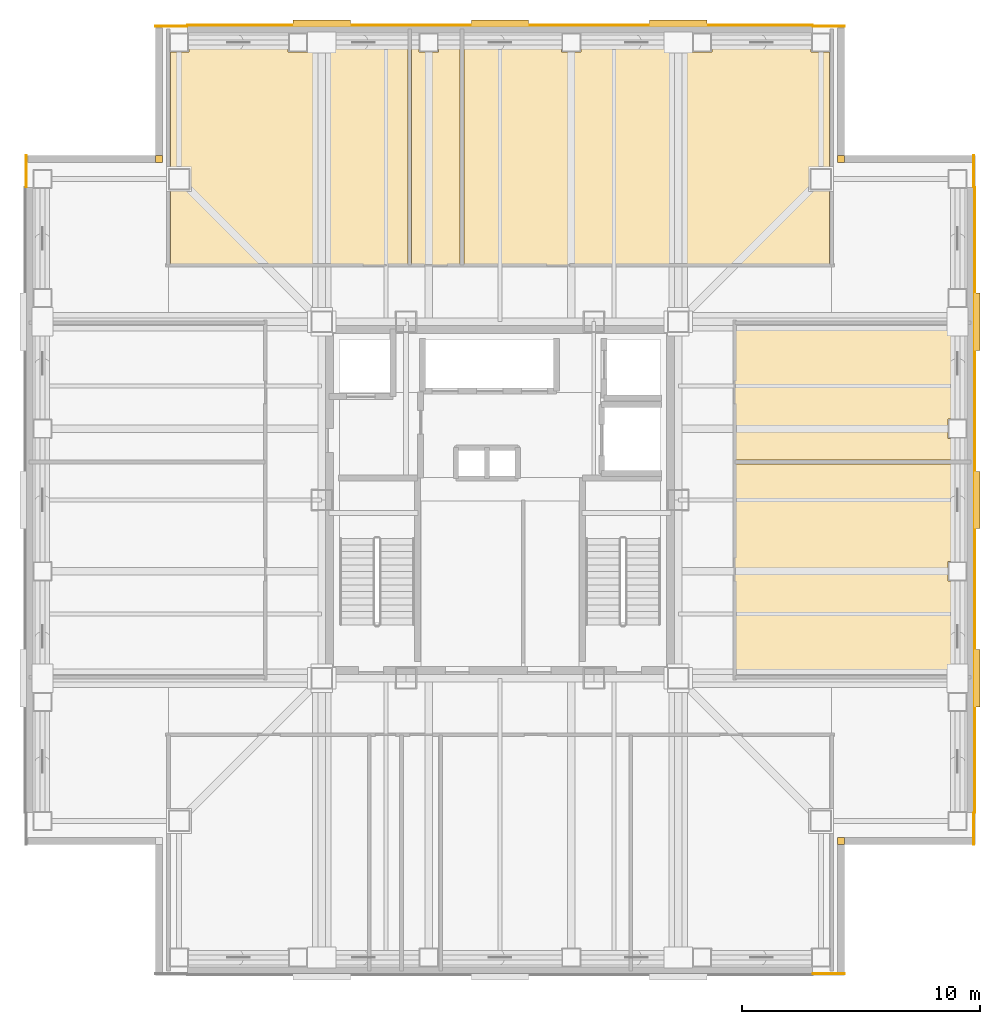
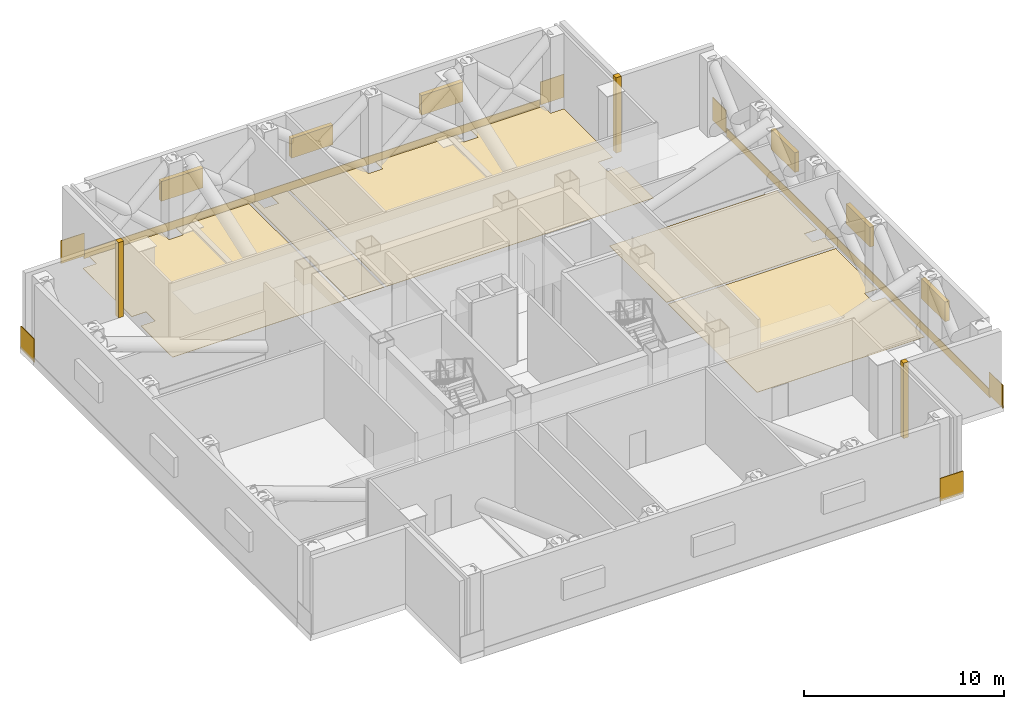
# One storey, part 10 of 10: 16 coverings, 6 shading devices.
"""IFC4 building model written with IfcOpenShell, lengths in metres."""

from ifc_helpers import new_model, si_unit, direction, frame, frame_2d, origin, origin_2d, place, context, subcontext, project, spatial, polyline, rectangle, outline, extrude, material, layer, layer_set, type_object, element, save


model = new_model("IFC4")

# Units and contexts
model_context = context("Model", 3, precision=1e-05, world=origin(), true_north=direction((0.0, 1.0)))
body_context = subcontext(model_context, "Body", "Model", "MODEL_VIEW")
ifc_project = project(units=[si_unit("LENGTHUNIT", "METRE"), si_unit("AREAUNIT", "SQUARE_METRE"), si_unit("VOLUMEUNIT", "CUBIC_METRE"), si_unit("PLANEANGLEUNIT", "RADIAN"), si_unit("MASSUNIT", "GRAM", prefix="KILO")], contexts=[model_context])

# Site, building, storey
site_placement = place(None, origin())
site = spatial("IfcSite", under=ifc_project, at=site_placement, CompositionType="ELEMENT")
building_placement = place(site_placement, origin())
building = spatial("IfcBuilding", under=site, at=building_placement, Name="Trevonay Congress Spire", CompositionType="ELEMENT")
storey_placement = place(building_placement, frame((0.0, 0.0, 227.39990234375)))
storey = spatial("IfcBuildingStorey", under=building, at=storey_placement, Name="L59", CompositionType="ELEMENT", Elevation=227.39990234375)

# Coverings
ifc_material_1 = material(Name="Polished Granite Floor Tile", Category="masonry")
ifc_layer_1 = layer(ifc_material_1, 0.02001953125, Name="Polished Granite Floor Tile")
ifc_layer_set_1 = layer_set([ifc_layer_1], Name="Polished Granite Floor Tile")
covering_type_1 = type_object("IfcCoveringType", Name="COV-FLOOR-STONE", PredefinedType="FLOORING", material=ifc_layer_set_1)
covering_1_placement = place(storey_placement, origin())
element("IfcCovering", 1, at=covering_1_placement, inside=storey, type_object=covering_type_1, Name="L59 Electrical HV Transformer Room floor finish", PredefinedType="FLOORING", context=body_context, shape_type="SweptSolid", body=[
    extrude(outline(polyline([(-3.8798828125, 19.550048828125), (-3.8798828125, 9.8798828125), (-13.8701171875, 9.8798828125), (-13.8701171875, 13.0400390625), (-13.0400390625, 13.0400390625), (-13.0400390625, 13.9599609375), (-13.8701171875, 13.9599609375), (-13.8701171875, 18.840087890625), (-13.090087890625, 18.840087890625), (-13.090087890625, 19.550048828125), (-8.909912109375, 19.550048828125), (-8.909912109375, 18.840087890625), (-8.090087890625, 18.840087890625), (-8.090087890625, 19.550048828125), (-3.8798828125, 19.550048828125)])), origin(), (0.0, 0.0, 1.0), 0.02001953125),
])
covering_2_placement = place(storey_placement, origin())
element("IfcCovering", 2, at=covering_2_placement, inside=storey, type_object=covering_type_1, Name="L59 Sprinkler Break-Tank and Pump Room floor finish", PredefinedType="FLOORING", context=body_context, shape_type="SweptSolid", body=[
    extrude(outline(polyline([(-1.679931640625, 19.550048828125), (-1.679931640625, 9.8798828125), (-3.719970703125, 9.8798828125), (-3.719970703125, 19.550048828125), (-3.409912109375, 19.550048828125), (-3.409912109375, 18.840087890625), (-2.590087890625, 18.840087890625), (-2.590087890625, 19.550048828125), (-1.679931640625, 19.550048828125)])), origin(), (0.0, 0.0, 1.0), 0.02001953125),
])
covering_3_placement = place(storey_placement, origin())
element("IfcCovering", 3, at=covering_3_placement, inside=storey, type_object=covering_type_1, Name="L59 Smoke Extract Plenum Room floor finish", PredefinedType="FLOORING", context=body_context, shape_type="SweptSolid", body=[
    extrude(outline(polyline([(13.8701171875, 9.8798828125), (-1.52001953125, 9.8798828125), (-1.52001953125, 19.550048828125), (2.590087890625, 19.550048828125), (2.590087890625, 18.840087890625), (3.409912109375, 18.840087890625), (3.409912109375, 19.550048828125), (8.090087890625, 19.550048828125), (8.090087890625, 18.840087890625), (8.909912109375, 18.840087890625), (8.909912109375, 19.550048828125), (13.090087890625, 19.550048828125), (13.090087890625, 18.840087890625), (13.8701171875, 18.840087890625), (13.8701171875, 13.9599609375), (13.0400390625, 13.9599609375), (13.0400390625, 13.0400390625), (13.8701171875, 13.0400390625), (13.8701171875, 9.8798828125)])), origin(), (0.0, 0.0, 1.0), 0.02001953125),
])
covering_4_placement = place(storey_placement, origin())
element("IfcCovering", 4, at=covering_4_placement, inside=storey, type_object=covering_type_1, Name="L59 Refuge Area East floor finish", PredefinedType="FLOORING", context=body_context, shape_type="SweptSolid", body=[
    extrude(outline(polyline([(19.550048828125, -7.3701171875), (9.8798828125, -7.3701171875), (9.8798828125, 1.52001953125), (19.550048828125, 1.52001953125), (19.550048828125, -2.590087890625), (18.840087890625, -2.590087890625), (18.840087890625, -3.409912109375), (19.550048828125, -3.409912109375), (19.550048828125, -7.3701171875)])), origin(), (0.0, 0.0, 1.0), 0.02001953125),
])
covering_5_placement = place(storey_placement, origin())
element("IfcCovering", 5, at=covering_5_placement, inside=storey, type_object=covering_type_1, Name="L59 Domestic Water Booster Room floor finish", PredefinedType="FLOORING", context=body_context, shape_type="SweptSolid", body=[
    extrude(outline(polyline([(19.550048828125, 1.679931640625), (9.8798828125, 1.679931640625), (9.8798828125, 7.3701171875), (19.550048828125, 7.3701171875), (19.550048828125, 3.409912109375), (18.840087890625, 3.409912109375), (18.840087890625, 2.590087890625), (19.550048828125, 2.590087890625), (19.550048828125, 1.679931640625)])), origin(), (0.0, 0.0, 1.0), 0.02001953125),
])
ifc_material_2 = material(Name="Pale Anodised Aluminium EN AW-6063-T6", Category="aluminium")
ifc_layer_2 = layer(ifc_material_2, 0.0400390625, Name="Pale Anodised Aluminium EN AW-6063-T6")
ifc_layer_set_2 = layer_set([ifc_layer_2], Name="Pale Anodised Aluminium EN AW-6063-T6")
covering_type_2 = type_object("IfcCoveringType", Name="COV-SPANDREL-PALE-METAL", PredefinedType="CLADDING", material=ifc_layer_set_2)
for number, where, z_axis, x_axis, name in (
    (6, (-13.14990234375, 19.97998046875, -0.349853515625), (0.0, 0.0, 1.0), (1.0, 0.0, 0.0), "L59 N pale-metal belt-truss spandrel cladding"),
    (7, (19.97998046875, -13.14990234375, -0.349853515625), (0.0, 0.0, 1.0), (0.0, 1.0, 0.0), "L59 E pale-metal belt-truss spandrel cladding"),
):
    element("IfcCovering", number, at=place(storey_placement, frame(where, z_axis=z_axis, x_axis=x_axis)), inside=storey, type_object=covering_type_2, Name=name, PredefinedType="CLADDING", context=body_context, shape_type="SweptSolid", body=[
        extrude(rectangle(XDim=26.2998046875, YDim=0.0400390625, at=frame_2d((13.14990234375, 0.0))), origin(), (0.0, 0.0, 1.0), 0.5),
    ])
covering_6_placement = place(storey_placement, origin())
element("IfcCovering", 8, at=covering_6_placement, inside=storey, type_object=covering_type_2, Name="L59 SE re-entrant notch corner closure trim", PredefinedType="CLADDING", context=body_context, shape_type="SweptSolid", body=[
    extrude(outline(polyline([(14.199951171875, -14.5), (14.5, -14.5), (14.5, -14.199951171875), (14.199951171875, -14.199951171875), (14.199951171875, -14.5)])), origin(), (0.0, 0.0, 1.0), 4.60009765625),
])
for number, where, z_axis, x_axis, name in (
    (9, (19.93994140625, -13.14990234375, -0.14990234375), (0.0, 0.0, 1.0), (0.0, -1.0, 0.0), "L59 SE corner pier spandrel cladding 1"),
    (10, (13.14990234375, -19.93994140625, -0.14990234375), (0.0, 0.0, 1.0), (1.0, 0.0, 0.0), "L59 SE corner pier spandrel cladding 2"),
):
    element("IfcCovering", number, at=place(storey_placement, frame(where, z_axis=z_axis, x_axis=x_axis)), inside=storey, type_object=covering_type_2, Name=name, PredefinedType="CLADDING", context=body_context, shape_type="SweptSolid", body=[
        extrude(rectangle(XDim=1.35009765625, YDim=0.0400390625, at=frame_2d((0.675048828125, 0.0))), origin(), (0.0, 0.0, 1.0), 1.39990234375),
    ])
covering_7_placement = place(storey_placement, origin())
element("IfcCovering", 11, at=covering_7_placement, inside=storey, type_object=covering_type_2, Name="L59 NE re-entrant notch corner closure trim", PredefinedType="CLADDING", context=body_context, shape_type="SweptSolid", body=[
    extrude(outline(polyline([(14.199951171875, 14.199951171875), (14.5, 14.199951171875), (14.5, 14.5), (14.199951171875, 14.5), (14.199951171875, 14.199951171875)])), origin(), (0.0, 0.0, 1.0), 4.60009765625),
])
for number, where, z_axis, x_axis, name in (
    (12, (19.93994140625, 13.14990234375, -0.14990234375), (0.0, 0.0, 1.0), (0.0, 1.0, 0.0), "L59 NE corner pier spandrel cladding 1"),
    (13, (13.14990234375, 19.93994140625, -0.14990234375), (0.0, 0.0, 1.0), (1.0, 0.0, 0.0), "L59 NE corner pier spandrel cladding 2"),
):
    element("IfcCovering", number, at=place(storey_placement, frame(where, z_axis=z_axis, x_axis=x_axis)), inside=storey, type_object=covering_type_2, Name=name, PredefinedType="CLADDING", context=body_context, shape_type="SweptSolid", body=[
        extrude(rectangle(XDim=1.35009765625, YDim=0.0400390625, at=frame_2d((0.675048828125, 0.0))), origin(), (0.0, 0.0, 1.0), 1.39990234375),
    ])
covering_8_placement = place(storey_placement, origin())
element("IfcCovering", 14, at=covering_8_placement, inside=storey, type_object=covering_type_2, Name="L59 NW re-entrant notch corner closure trim", PredefinedType="CLADDING", context=body_context, shape_type="SweptSolid", body=[
    extrude(outline(polyline([(-14.5, 14.199951171875), (-14.199951171875, 14.199951171875), (-14.199951171875, 14.5), (-14.5, 14.5), (-14.5, 14.199951171875)])), origin(), (0.0, 0.0, 1.0), 4.60009765625),
])
for number, where, z_axis, x_axis, name in (
    (15, (-19.93994140625, 13.14990234375, -0.14990234375), (0.0, 0.0, 1.0), (0.0, 1.0, 0.0), "L59 NW corner pier spandrel cladding 1"),
    (16, (-13.14990234375, 19.93994140625, -0.14990234375), (0.0, 0.0, 1.0), (-1.0, 0.0, 0.0), "L59 NW corner pier spandrel cladding 2"),
):
    element("IfcCovering", number, at=place(storey_placement, frame(where, z_axis=z_axis, x_axis=x_axis)), inside=storey, type_object=covering_type_2, Name=name, PredefinedType="CLADDING", context=body_context, shape_type="SweptSolid", body=[
        extrude(rectangle(XDim=1.35009765625, YDim=0.0400390625, at=frame_2d((0.675048828125, 0.0))), origin(), (0.0, 0.0, 1.0), 1.39990234375),
    ])

# Shading devices
shading_device_type = type_object("IfcShadingDeviceType", Name="SHD-LOUVRE-PLANT-ALUM", PredefinedType="USERDEFINED", material=ifc_material_2)
for number, where, z_axis, x_axis, name in (
    (17, (-7.5, 20.070068359375, 1.60009765625), (0.0, 0.0, 1.0), (1.0, 0.0, 0.0), "L59 N acoustic plant intake louvre 1"),
    (18, (0.0, 20.070068359375, 1.60009765625), (0.0, 0.0, 1.0), (1.0, 0.0, 0.0), "L59 N acoustic plant intake louvre 2"),
    (19, (7.5, 20.070068359375, 1.60009765625), (0.0, 0.0, 1.0), (1.0, 0.0, 0.0), "L59 N acoustic plant intake louvre 3"),
    (20, (20.070068359375, -7.5, 1.60009765625), (0.0, 0.0, 1.0), (0.0, 1.0, 0.0), "L59 E acoustic plant intake louvre 1"),
    (21, (20.070068359375, 0.0, 1.60009765625), (0.0, 0.0, 1.0), (0.0, 1.0, 0.0), "L59 E acoustic plant intake louvre 2"),
    (22, (20.070068359375, 7.5, 1.60009765625), (0.0, 0.0, 1.0), (0.0, 1.0, 0.0), "L59 E acoustic plant intake louvre 3"),
):
    element("IfcShadingDevice", number, at=place(storey_placement, frame(where, z_axis=z_axis, x_axis=x_axis)), inside=storey, type_object=shading_device_type, Name=name, ObjectType="LOUVRE", PredefinedType="USERDEFINED", context=body_context, shape_type="SweptSolid", body=[
        extrude(rectangle(XDim=2.39990234375, YDim=0.25, at=origin_2d()), origin(), (0.0, 0.0, 1.0), 1.199951171875),
    ])

save(model, "model.ifc")
